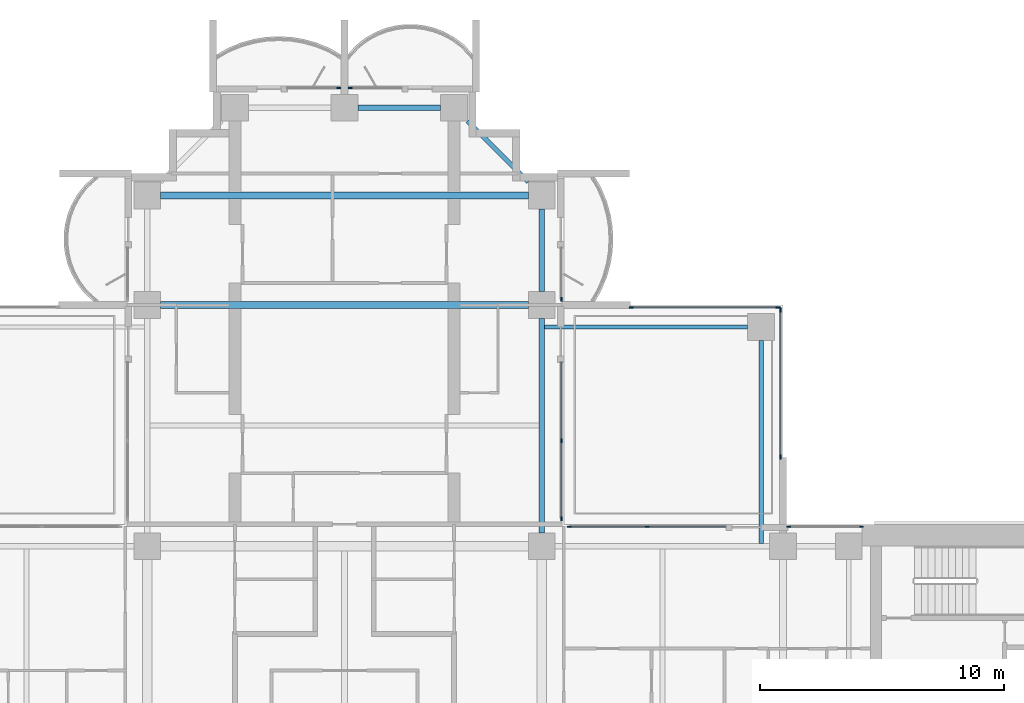
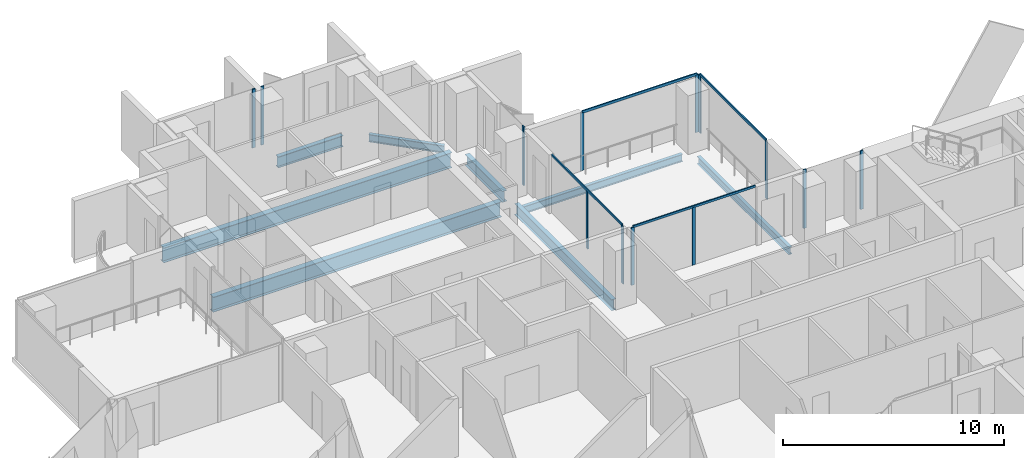
# One storey, part 6 of 19: 17 members, 8 beams, 8 elements without a shape of their own.
"""IFC4 building model written with IfcOpenShell, lengths in metres."""

from ifc_helpers import new_model, si_unit, direction, frame, origin, origin_2d, place, context, subcontext, project, spatial, rectangle, i_section, extrude, material, material_profile, profile_set, type_object, element, aggregate, save


model = new_model("IFC4")

# Units and contexts
model_context = context("Model", 3, precision=1e-05, world=origin(), true_north=direction((0.0, 1.0)))
body_context = subcontext(model_context, "Body", "Model", "MODEL_VIEW")
ifc_project = project(units=[si_unit("LENGTHUNIT", "METRE"), si_unit("AREAUNIT", "SQUARE_METRE"), si_unit("VOLUMEUNIT", "CUBIC_METRE"), si_unit("PLANEANGLEUNIT", "RADIAN"), si_unit("MASSUNIT", "GRAM", prefix="KILO")], contexts=[model_context])

# Site, building, storey
site_placement = place(None, origin())
site = spatial("IfcSite", under=ifc_project, at=site_placement, CompositionType="ELEMENT")
building_placement = place(site_placement, origin())
building = spatial("IfcBuilding", under=site, at=building_placement, Name="Perihelion Cross Residences", CompositionType="ELEMENT")
storey_placement = place(building_placement, frame((0.0, 0.0, 105.89990234375)))
storey = spatial("IfcBuildingStorey", under=building, at=storey_placement, Name="L24", CompositionType="ELEMENT", Elevation=105.89990234375)

# Curtain wall, members
ifc_material_1 = material(Name="Bronze anodised aluminium, tinted glazing", Category="aluminium")
curtain_wall_type_1 = type_object("IfcCurtainWallType", Name="CW1", PredefinedType="NOTDEFINED", material=ifc_material_1)
curtain_wall_1_placement = place(storey_placement, origin())
curtain_wall_1 = element("IfcCurtainWall", 1, at=curtain_wall_1_placement, inside=storey, type_object=curtain_wall_type_1, Name="Curtain wall CW1 L24 east side north bay 1", PredefinedType="NOTDEFINED")
ifc_material_2 = material(Name="Bronze anodised aluminium", Category="aluminium")
ifc_material_profile_1 = material_profile(ifc_material_2, rectangle(XDim=0.06005859375, YDim=0.159912109375, at=origin_2d()), Name="CW1 mullion")
ifc_profile_set_1 = profile_set([ifc_material_profile_1], Name="Bronze anodised aluminium")
member_type_1 = type_object("IfcMemberType", Name="CW1 mullion", PredefinedType="MULLION", material=ifc_profile_set_1)
member_1_placement = place(storey_placement, frame((21.219970703125, 8.89990234375, 0.0), z_axis=(0.0, 0.0, 1.0), x_axis=(0.0, -1.0, 0.0)))
member_1 = element("IfcMember", 2, at=member_1_placement, type_object=member_type_1, Name="CW1 mullion 1", PredefinedType="MULLION", context=body_context, shape_type="SweptSolid", body=[
    extrude(rectangle(XDim=0.06005859375, YDim=0.159912109375, at=origin_2d()), origin(), (0.0, 0.0, 1.0), 3.25),
])
member_2_placement = place(storey_placement, frame((18.22998046875, 8.89990234375, 0.0), z_axis=(0.0, 0.0, 1.0), x_axis=(0.0, -1.0, 0.0)))
member_2 = element("IfcMember", 3, at=member_2_placement, type_object=member_type_1, Name="CW1 mullion 2", PredefinedType="MULLION", context=body_context, shape_type="SweptSolid", body=[
    extrude(rectangle(XDim=0.06005859375, YDim=0.159912109375, at=origin_2d()), origin(), (0.0, 0.0, 1.0), 3.25),
])
aggregate(curtain_wall_1, [member_1, member_2])

curtain_wall_2_placement = place(storey_placement, origin())
curtain_wall_2 = element("IfcCurtainWall", 4, at=curtain_wall_2_placement, inside=storey, type_object=curtain_wall_type_1, Name="Curtain wall CW1 L24 east side north bay 2", PredefinedType="NOTDEFINED")
member_3_placement = place(storey_placement, frame((12.425048828125, 8.89990234375, 0.0), z_axis=(0.0, 0.0, 1.0), x_axis=(0.0, -1.0, 0.0)))
member_3 = element("IfcMember", 5, at=member_3_placement, type_object=member_type_1, Name="CW1 mullion 2", PredefinedType="MULLION", context=body_context, shape_type="SweptSolid", body=[
    extrude(rectangle(XDim=0.06005859375, YDim=0.159912109375, at=origin_2d()), origin(), (0.0, 0.0, 1.0), 3.190185546875),
])
member_4_placement = place(storey_placement, frame((9.22998046875, 8.89990234375, 0.0), z_axis=(0.0, 0.0, 1.0), x_axis=(0.0, -1.0, 0.0)))
member_4 = element("IfcMember", 6, at=member_4_placement, type_object=member_type_1, Name="CW1 mullion 3", PredefinedType="MULLION", context=body_context, shape_type="SweptSolid", body=[
    extrude(rectangle(XDim=0.06005859375, YDim=0.159912109375, at=origin_2d()), origin(), (0.0, 0.0, 1.0), 3.190185546875),
])

curtain_wall_3_placement = place(storey_placement, origin())
curtain_wall_3 = element("IfcCurtainWall", 7, at=curtain_wall_3_placement, inside=storey, type_object=curtain_wall_type_1, Name="Curtain wall CW1 L24 north side east bay 1", PredefinedType="NOTDEFINED")
member_5_placement = place(storey_placement, frame((8.89990234375, 9.22998046875, 0.0), z_axis=(0.0, 0.0, 1.0), x_axis=(-1.0, 0.0, 0.0)))
member_5 = element("IfcMember", 8, at=member_5_placement, type_object=member_type_1, Name="CW1 mullion 1", PredefinedType="MULLION", context=body_context, shape_type="SweptSolid", body=[
    extrude(rectangle(XDim=0.06005859375, YDim=0.159912109375, at=origin_2d()), origin(), (0.0, 0.0, 1.0), 3.190185546875),
])
member_6_placement = place(storey_placement, frame((8.89990234375, 12.425048828125, 0.0), z_axis=(0.0, 0.0, 1.0), x_axis=(-1.0, 0.0, 0.0)))
member_6 = element("IfcMember", 9, at=member_6_placement, type_object=member_type_1, Name="CW1 mullion 2", PredefinedType="MULLION", context=body_context, shape_type="SweptSolid", body=[
    extrude(rectangle(XDim=0.06005859375, YDim=0.159912109375, at=origin_2d()), origin(), (0.0, 0.0, 1.0), 3.190185546875),
])

# Curtain wall, member
curtain_wall_4_placement = place(storey_placement, origin())
curtain_wall_4 = element("IfcCurtainWall", 10, at=curtain_wall_4_placement, inside=storey, type_object=curtain_wall_type_1, Name="Curtain wall CW1 L24 north side east bay 2", PredefinedType="NOTDEFINED")
member_7_placement = place(storey_placement, frame((8.89990234375, 18.22998046875, 0.0), z_axis=(0.0, 0.0, 1.0), x_axis=(-1.0, 0.0, 0.0)))
member_7 = element("IfcMember", 11, at=member_7_placement, type_object=member_type_1, Name="CW1 mullion 1", PredefinedType="MULLION", context=body_context, shape_type="SweptSolid", body=[
    extrude(rectangle(XDim=0.06005859375, YDim=0.159912109375, at=origin_2d()), origin(), (0.0, 0.0, 1.0), 3.25),
])
aggregate(curtain_wall_4, [member_7])

curtain_wall_5_placement = place(storey_placement, origin())
curtain_wall_5 = element("IfcCurtainWall", 12, at=curtain_wall_5_placement, inside=storey, type_object=curtain_wall_type_1, Name="Curtain wall CW1 L24 north tip north bay 1", PredefinedType="NOTDEFINED")
member_8_placement = place(storey_placement, frame((0.22998046875, 26.89990234375, 0.0), z_axis=(0.0, 0.0, 1.0), x_axis=(0.0, -1.0, 0.0)))
member_8 = element("IfcMember", 13, at=member_8_placement, type_object=member_type_1, Name="CW1 mullion 2", PredefinedType="MULLION", context=body_context, shape_type="SweptSolid", body=[
    extrude(rectangle(XDim=0.06005859375, YDim=0.159912109375, at=origin_2d()), origin(), (0.0, 0.0, 1.0), 3.25),
])
aggregate(curtain_wall_5, [member_8])

curtain_wall_6_placement = place(storey_placement, origin())
curtain_wall_6 = element("IfcCurtainWall", 14, at=curtain_wall_6_placement, inside=storey, type_object=curtain_wall_type_1, Name="Curtain wall CW1 L24 north tip north bay 2", PredefinedType="NOTDEFINED")
member_9_placement = place(storey_placement, frame((-0.22998046875, 26.89990234375, 0.0), z_axis=(0.0, 0.0, 1.0), x_axis=(0.0, -1.0, 0.0)))
member_9 = element("IfcMember", 15, at=member_9_placement, type_object=member_type_1, Name="CW1 mullion 1", PredefinedType="MULLION", context=body_context, shape_type="SweptSolid", body=[
    extrude(rectangle(XDim=0.06005859375, YDim=0.159912109375, at=origin_2d()), origin(), (0.0, 0.0, 1.0), 3.25),
])
aggregate(curtain_wall_6, [member_9])

# Member
ifc_material_3 = material(Name="Bronze anodised aluminium", Category="aluminium")
ifc_material_profile_2 = material_profile(ifc_material_3, rectangle(XDim=0.06005859375, YDim=0.1201171875, at=origin_2d()), Name="CW1 transom")
ifc_profile_set_2 = profile_set([ifc_material_profile_2], Name="Bronze anodised aluminium")
member_type_2 = type_object("IfcMemberType", Name="CW1 transom", PredefinedType="USERDEFINED", material=ifc_profile_set_2)
member_10_placement = place(storey_placement, frame((15.64990234375, 8.89990234375, 3.22021484375), z_axis=(-1.0, 0.0, 0.0), x_axis=(0.0, -1.0, 0.0)))
member_10 = element("IfcMember", 16, at=member_10_placement, type_object=member_type_2, Name="CW1 head transom", ObjectType="TRANSOM", PredefinedType="USERDEFINED", context=body_context, shape_type="SweptSolid", body=[
    extrude(rectangle(XDim=0.06005859375, YDim=0.1201171875, at=origin_2d()), origin(), (0.0, 0.0, 1.0), 6.419921875),
])

aggregate(curtain_wall_2, [member_3, member_4, member_10])

member_11_placement = place(storey_placement, frame((8.89990234375, 9.22998046875, 3.22021484375), z_axis=(0.0, 1.0, 0.0), x_axis=(-1.0, 0.0, 0.0)))
member_11 = element("IfcMember", 17, at=member_11_placement, type_object=member_type_2, Name="CW1 head transom", ObjectType="TRANSOM", PredefinedType="USERDEFINED", context=body_context, shape_type="SweptSolid", body=[
    extrude(rectangle(XDim=0.06005859375, YDim=0.1201171875, at=origin_2d()), origin(), (0.0, 0.0, 1.0), 6.419921875),
])

aggregate(curtain_wall_3, [member_5, member_6, member_11])

# Curtain wall, members
ifc_material_4 = material(Name="Bronze anodised aluminium, tinted glazing", Category="aluminium")
curtain_wall_type_2 = type_object("IfcCurtainWallType", Name="CW4", PredefinedType="NOTDEFINED", material=ifc_material_4)
curtain_wall_7_placement = place(storey_placement, origin())
curtain_wall_7 = element("IfcCurtainWall", 18, at=curtain_wall_7_placement, inside=storey, type_object=curtain_wall_type_2, Name="Curtain wall CW4 L24 pocket north-east 1 1", PredefinedType="NOTDEFINED")
ifc_material_5 = material(Name="Bronze anodised aluminium", Category="aluminium")
ifc_material_profile_3 = material_profile(ifc_material_5, rectangle(XDim=0.06005859375, YDim=0.179931640625, at=origin_2d()), Name="CW4 mullion")
ifc_profile_set_3 = profile_set([ifc_material_profile_3], Name="Bronze anodised aluminium")
member_type_3 = type_object("IfcMemberType", Name="CW4 mullion", PredefinedType="MULLION", material=ifc_profile_set_3)
member_12_placement = place(storey_placement, frame((11.77001953125, 17.89990234375, 0.0), z_axis=(0.0, 0.0, 1.0), x_axis=(0.0, 1.0, 0.0)))
member_12 = element("IfcMember", 19, at=member_12_placement, type_object=member_type_3, Name="CW4 mullion 1", PredefinedType="MULLION", context=body_context, shape_type="SweptSolid", body=[
    extrude(rectangle(XDim=0.06005859375, YDim=0.179931640625, at=origin_2d()), origin(), (0.0, 0.0, 1.0), 3.190185546875),
])
member_13_placement = place(storey_placement, frame((17.800048828125, 17.89990234375, 0.0), z_axis=(0.0, 0.0, 1.0), x_axis=(0.0, 1.0, 0.0)))
member_13 = element("IfcMember", 20, at=member_13_placement, type_object=member_type_3, Name="CW4 mullion 2", PredefinedType="MULLION", context=body_context, shape_type="SweptSolid", body=[
    extrude(rectangle(XDim=0.06005859375, YDim=0.179931640625, at=origin_2d()), origin(), (0.0, 0.0, 1.0), 3.190185546875),
])

curtain_wall_8_placement = place(storey_placement, origin())
curtain_wall_8 = element("IfcCurtainWall", 21, at=curtain_wall_8_placement, inside=storey, type_object=curtain_wall_type_2, Name="Curtain wall CW4 L24 pocket north-east 1 2", PredefinedType="NOTDEFINED")
member_14_placement = place(storey_placement, frame((17.89990234375, 17.800048828125, 0.0), z_axis=(0.0, 0.0, 1.0), x_axis=(1.0, 0.0, 0.0)))
member_14 = element("IfcMember", 22, at=member_14_placement, type_object=member_type_3, Name="CW4 mullion 1", PredefinedType="MULLION", context=body_context, shape_type="SweptSolid", body=[
    extrude(rectangle(XDim=0.06005859375, YDim=0.179931640625, at=origin_2d()), origin(), (0.0, 0.0, 1.0), 3.190185546875),
])
member_15_placement = place(storey_placement, frame((17.89990234375, 11.77001953125, 0.0), z_axis=(0.0, 0.0, 1.0), x_axis=(1.0, 0.0, 0.0)))
member_15 = element("IfcMember", 23, at=member_15_placement, type_object=member_type_3, Name="CW4 mullion 2", PredefinedType="MULLION", context=body_context, shape_type="SweptSolid", body=[
    extrude(rectangle(XDim=0.06005859375, YDim=0.179931640625, at=origin_2d()), origin(), (0.0, 0.0, 1.0), 3.190185546875),
])

# Member
ifc_material_6 = material(Name="Bronze anodised aluminium", Category="aluminium")
ifc_material_profile_4 = material_profile(ifc_material_6, rectangle(XDim=0.06005859375, YDim=0.139892578125, at=origin_2d()), Name="CW4 transom")
ifc_profile_set_4 = profile_set([ifc_material_profile_4], Name="Bronze anodised aluminium")
member_type_4 = type_object("IfcMemberType", Name="CW4 transom", PredefinedType="USERDEFINED", material=ifc_profile_set_4)
member_16_placement = place(storey_placement, frame((11.77001953125, 17.89990234375, 3.22021484375), z_axis=(1.0, 0.0, 0.0), x_axis=(0.0, 1.0, 0.0)))
member_16 = element("IfcMember", 24, at=member_16_placement, type_object=member_type_4, Name="CW4 head transom", ObjectType="TRANSOM", PredefinedType="USERDEFINED", context=body_context, shape_type="SweptSolid", body=[
    extrude(rectangle(XDim=0.06005859375, YDim=0.139892578125, at=origin_2d()), origin(), (0.0, 0.0, 1.0), 6.030029296875),
])

aggregate(curtain_wall_7, [member_12, member_13, member_16])

member_17_placement = place(storey_placement, frame((17.89990234375, 17.800048828125, 3.22021484375), z_axis=(0.0, -1.0, 0.0), x_axis=(1.0, 0.0, 0.0)))
member_17 = element("IfcMember", 25, at=member_17_placement, type_object=member_type_4, Name="CW4 head transom", ObjectType="TRANSOM", PredefinedType="USERDEFINED", context=body_context, shape_type="SweptSolid", body=[
    extrude(rectangle(XDim=0.06005859375, YDim=0.139892578125, at=origin_2d()), origin(), (0.0, 0.0, 1.0), 6.030029296875),
])

aggregate(curtain_wall_8, [member_14, member_15, member_17])

# Beams
ifc_material_7 = material(Name="Steel S355", Category="steel")
ifc_material_profile_5 = material_profile(ifc_material_7, i_section(OverallWidth=0.177978515625, OverallDepth=0.406005859375, WebThickness=0.0078125, FlangeThickness=0.0126953125, at=origin_2d()), Name="W410x60")
ifc_profile_set_5 = profile_set([ifc_material_profile_5], Name="Steel S355")
beam_type_1 = type_object("IfcBeamType", Name="Core edge beam W410x60", PredefinedType="BEAM", material=ifc_profile_set_5)
for number, where, z_axis, x_axis, name in (
    (26, (17.10009765625, 8.214599609375, -0.452880859375), (0.0, 1.0, 0.0), (-1.0, 0.0, 0.0), "Core edge beam TB2 L24 corner no. 7"),
    (27, (8.214599609375, 17.10009765625, -0.452880859375), (1.0, 0.0, 0.0), (0.0, 1.0, 0.0), "Core edge beam TB2 L24 corner no. 8"),
):
    element("IfcBeam", number, at=place(storey_placement, frame(where, z_axis=z_axis, x_axis=x_axis)), inside=storey, type_object=beam_type_1, Name=name, PredefinedType="BEAM", context=body_context, shape_type="SweptSolid", body=[
        extrude(i_section(OverallWidth=0.177978515625, OverallDepth=0.406005859375, WebThickness=0.0078125, FlangeThickness=0.0126953125, at=origin_2d()), origin(), (0.0, 0.0, 1.0), 8.33544921875),
    ])
ifc_material_8 = material(Name="Steel S355", Category="steel")
ifc_material_profile_6 = material_profile(ifc_material_8, i_section(OverallWidth=0.22900390625, OverallDepth=0.612060546875, WebThickness=0.011962890625, FlangeThickness=0.01953125, at=origin_2d()), Name="W610x125")
ifc_profile_set_6 = profile_set([ifc_material_profile_6], Name="Steel S355")
beam_type_2 = type_object("IfcBeamType", Name="Edge beam W610x125", PredefinedType="SPANDREL", material=ifc_profile_set_6)
beam_1_placement = place(storey_placement, frame((8.10009765625, 8.64990234375, -0.555908203125), z_axis=(0.0, 1.0, 0.0), x_axis=(-1.0, 0.0, 0.0)))
element("IfcBeam", 28, at=beam_1_placement, inside=storey, type_object=beam_type_2, Name="Edge beam SB3 L24 no. 18", PredefinedType="SPANDREL", context=body_context, shape_type="SweptSolid", body=[
    extrude(i_section(OverallWidth=0.22900390625, OverallDepth=0.612060546875, WebThickness=0.011962890625, FlangeThickness=0.01953125, at=origin_2d()), origin(), (0.0, 0.0, 1.0), 8.800048828125),
])
for number, where, z_axis, x_axis, name in (
    (29, (8.10009765625, 18.550048828125, -0.555908203125), (0.0, 1.0, 0.0), (-1.0, 0.0, 0.0), "Edge beam SB3 L24 no. 17"),
    (30, (3.949951171875, 26.10009765625, -0.555908203125), (-1.0, 0.0, 0.0), (0.0, -1.0, 0.0), "Edge beam SB3 L24 no. 14"),
):
    element("IfcBeam", number, at=place(storey_placement, frame(where, z_axis=z_axis, x_axis=x_axis)), inside=storey, type_object=beam_type_2, Name=name, PredefinedType="SPANDREL", context=body_context, shape_type="SweptSolid", body=[
        extrude(i_section(OverallWidth=0.22900390625, OverallDepth=0.612060546875, WebThickness=0.011962890625, FlangeThickness=0.01953125, at=origin_2d()), origin(), (0.0, 0.0, 1.0), 3.39990234375),
    ])
ifc_material_9 = material(Name="Steel S355", Category="steel")
ifc_material_profile_7 = material_profile(ifc_material_9, i_section(OverallWidth=0.2919921875, OverallDepth=0.8359375, WebThickness=0.013916015625, FlangeThickness=0.018798828125, at=origin_2d()), Name="W840x176")
ifc_profile_set_7 = profile_set([ifc_material_profile_7], Name="Steel S355")
beam_type_3 = type_object("IfcBeamType", Name="Floor girder W840x176", PredefinedType="BEAM", material=ifc_profile_set_7)
for number, where, z_axis, x_axis, name in (
    (31, (-7.550048828125, 18.0, -0.66796875), (1.0, 0.0, 0.0), (0.0, 1.0, 0.0), "Girder G3 L24 no. 4"),
    (32, (-7.550048828125, 22.5, -0.66796875), (1.0, 0.0, 0.0), (0.0, 1.0, 0.0), "Girder G3 L24 no. 5"),
):
    element("IfcBeam", number, at=place(storey_placement, frame(where, z_axis=z_axis, x_axis=x_axis)), inside=storey, type_object=beam_type_3, Name=name, PredefinedType="BEAM", context=body_context, shape_type="SweptSolid", body=[
        extrude(i_section(OverallWidth=0.2919921875, OverallDepth=0.8359375, WebThickness=0.013916015625, FlangeThickness=0.018798828125, at=origin_2d()), origin(), (0.0, 0.0, 1.0), 15.10009765625),
    ])
ifc_material_10 = material(Name="Steel S355", Category="steel")
ifc_material_profile_8 = material_profile(ifc_material_10, i_section(OverallWidth=0.180908203125, OverallDepth=0.4169921875, WebThickness=0.010986328125, FlangeThickness=0.018310546875, at=origin_2d()), Name="W410x85")
ifc_profile_set_8 = profile_set([ifc_material_profile_8], Name="Steel S355")
beam_type_4 = type_object("IfcBeamType", Name="Serration edge beam W410x85", PredefinedType="BEAM", material=ifc_profile_set_8)
beam_2_placement = place(storey_placement, frame((7.550048828125, 23.050048828125, -0.45849609375), z_axis=(-0.707106781187, 0.707106781187, 0.0), x_axis=(-0.707106781187, -0.707106781187, 0.0)))
element("IfcBeam", 33, at=beam_2_placement, inside=storey, type_object=beam_type_4, Name="Serration edge beam EB3 L24 no. 4", PredefinedType="BEAM", context=body_context, shape_type="SweptSolid", body=[
    extrude(i_section(OverallWidth=0.180908203125, OverallDepth=0.4169921875, WebThickness=0.010986328125, FlangeThickness=0.018310546875, at=origin_2d()), origin(), (0.0, 0.0, 1.0), 3.53564453125),
])

save(model, "model.ifc")
